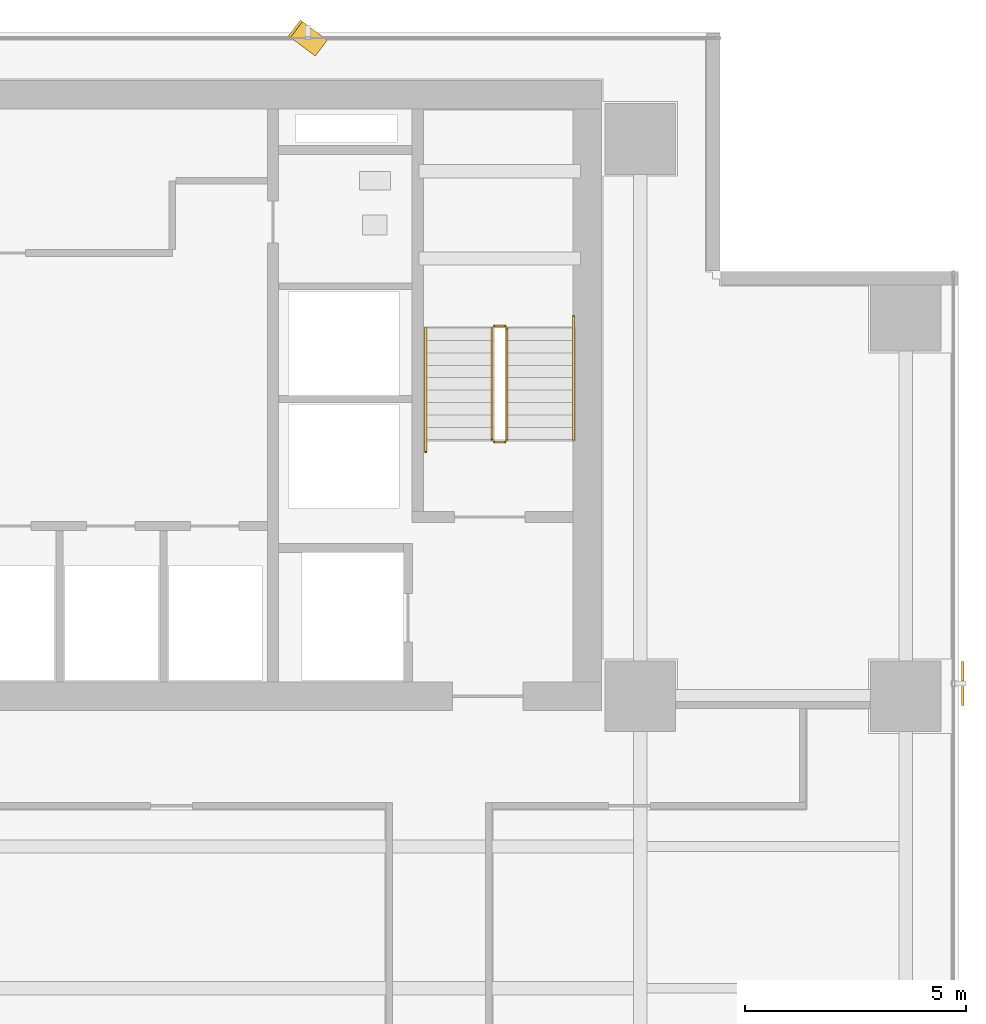
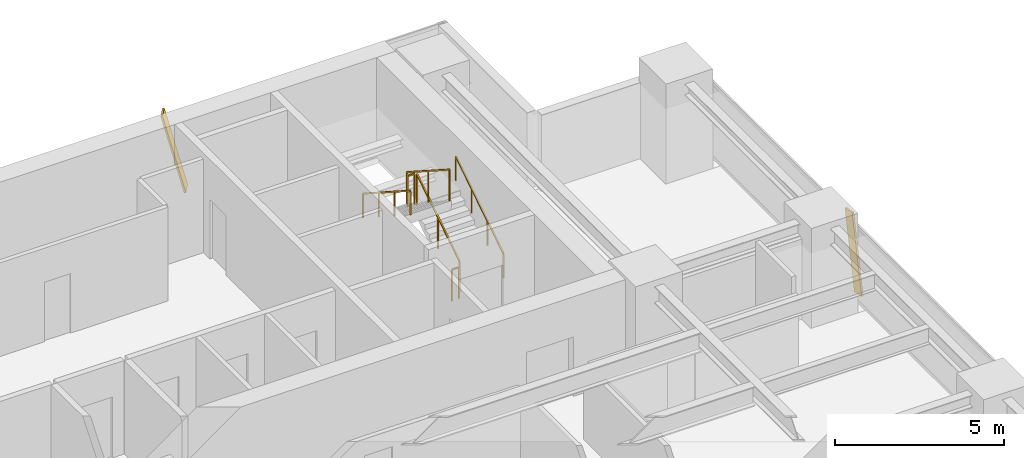
# One storey, part 27 of 28: 6 railings, 2 shading devices.
"""IFC4 building model written with IfcOpenShell, lengths in metres."""

import ifcopenshell
import ifcopenshell.guid

model = None  # the IFC model being written
_history = None  # IfcOwnerHistory: only IFC2X3 demands one
_inside = {}  # id of a spatial element -> (the spatial element, [elements in it])
_under = {}  # id of a project, library or spatial element -> (it, [spatial elements below it])
_declared = {}  # id of a project -> (the project, [libraries it declares])
_typed = {}  # id of a type object -> (the type object, [elements of that type])
_made_of = {}  # id of a material, layer set ... -> (it, [elements and type objects made of it])


def new_model(schema):
    """Start an empty IFC model of exactly this schema.

    Asked for "IFC4X3", IfcOpenShell would pick the latest addendum, in which some entities
    have other attributes; the version numbers below select the first issue.
    IFC2X3 requires an IfcOwnerHistory on every rooted entity: one is made here for all.
    """
    global model, _history
    if schema == "IFC4X3":
        model = ifcopenshell.file(schema_version=(4, 3, 0, 0))
    else:
        model = ifcopenshell.file(schema=schema)
    _inside.clear()
    _under.clear()
    _declared.clear()
    _typed.clear()
    _made_of.clear()
    _history = None
    if model.schema == "IFC2X3":
        org = make("IfcOrganization", Name="unknown")
        user = make(
            "IfcPersonAndOrganization",
            ThePerson=make("IfcPerson", FamilyName="unknown"),
            TheOrganization=org,
        )
        app = make(
            "IfcApplication",
            ApplicationDeveloper=org,
            Version="unknown",
            ApplicationFullName="unknown",
            ApplicationIdentifier="unknown",
        )
        _history = make(
            "IfcOwnerHistory",
            OwningUser=user,
            OwningApplication=app,
            ChangeAction="ADDED",
            CreationDate=0,
        )
    return model


def make(cls, **values):
    """One entity of the class cls with the attributes given. An attribute that is None is left unset."""
    return model.create_entity(
        cls, **{name: value for name, value in values.items() if value is not None}
    )


def rooted(cls, **values):
    """An entity with a GlobalId (a new one), such as an element, a storey or a relation."""
    return make(cls, GlobalId=ifcopenshell.guid.new(), OwnerHistory=_history, **values)


def si_unit(unit_type, name, prefix=None):
    """IfcSIUnit, for example si_unit("LENGTHUNIT", "METRE", prefix="MILLI")."""
    return make("IfcSIUnit", UnitType=unit_type, Prefix=prefix, Name=name)


def assignment(units):
    """IfcUnitAssignment: the units of a project."""
    return None if units is None else make("IfcUnitAssignment", Units=units)


def point(xyz):
    """IfcCartesianPoint."""
    return None if xyz is None else make("IfcCartesianPoint", Coordinates=xyz)


def direction(xyz):
    """IfcDirection."""
    return None if xyz is None else make("IfcDirection", DirectionRatios=xyz)


def frame(location, z_axis=None, x_axis=None):
    """IfcAxis2Placement3D, a coordinate frame: its origin and axes. An axis left out is left unset."""
    return make(
        "IfcAxis2Placement3D",
        Location=point(location),
        Axis=direction(z_axis),
        RefDirection=direction(x_axis),
    )


def frame_2d(location, x_axis=None):
    """IfcAxis2Placement2D, a coordinate frame in the plane: its origin and x axis."""
    return make(
        "IfcAxis2Placement2D", Location=point(location), RefDirection=direction(x_axis)
    )


def origin():
    """The frame at (0, 0, 0) with its axes left unset."""
    return frame((0.0, 0.0, 0.0))


def origin_2d():
    """The frame at (0, 0) in the plane with its x axis left unset."""
    return frame_2d((0.0, 0.0))


def place(relative_to, where):
    """IfcLocalPlacement: puts the frame where relative to a parent placement (None: the world)."""
    return make(
        "IfcLocalPlacement", PlacementRelTo=relative_to, RelativePlacement=where
    )


def context(
    kind, dimensions, precision=None, world=None, true_north=None, identifier=None
):
    """IfcGeometricRepresentationContext, for example the 3D "Model" context."""
    return make(
        "IfcGeometricRepresentationContext",
        ContextIdentifier=identifier,
        ContextType=kind,
        CoordinateSpaceDimension=dimensions,
        Precision=precision,
        WorldCoordinateSystem=world,
        TrueNorth=true_north,
    )


def subcontext(parent, identifier, kind, view, scale=None):
    """IfcGeometricRepresentationSubContext, for example "Body" below "Model"."""
    return make(
        "IfcGeometricRepresentationSubContext",
        ContextIdentifier=identifier,
        ContextType=kind,
        ParentContext=parent,
        TargetScale=scale,
        TargetView=view,
    )


def project(units=None, contexts=None):
    """IfcProject with its units and contexts."""
    return rooted(
        "IfcProject",
        Name="project",
        RepresentationContexts=contexts,
        UnitsInContext=assignment(units),
    )


def spatial(cls, under=None, at=None, **own):
    """A site, building, storey or space (cls), placed at a placement, below another one or the project."""
    s = rooted(cls, ObjectPlacement=at, **own)
    if under is not None:
        _under.setdefault(under.id(), (under, []))[1].append(s)
    return s


def profile(cls, at=None, kind="AREA", **sizes):
    """A parametric profile (cls). Its sizes go by their IFC names, for example OverallWidth=200.0."""
    return make(cls, ProfileType=kind, Position=at, **sizes)


def rectangle(**sizes):
    """IfcRectangleProfileDef."""
    return profile("IfcRectangleProfileDef", **sizes)


def extrude(swept, where, along, depth):
    """IfcExtrudedAreaSolid: the profile swept, set in the frame where, extruded along a direction by depth."""
    return make(
        "IfcExtrudedAreaSolid",
        SweptArea=swept,
        Position=where,
        ExtrudedDirection=direction(along),
        Depth=depth,
    )


def shape(context_of_items, identifier, shape_type, items):
    """IfcShapeRepresentation: the items that make up one representation, for example the "Body"."""
    return make(
        "IfcShapeRepresentation",
        ContextOfItems=context_of_items,
        RepresentationIdentifier=identifier,
        RepresentationType=shape_type,
        Items=items,
    )


def source(mapping_origin, context_of_items, identifier, shape_type, items):
    """IfcRepresentationMap: a shape defined once, which mapped items show again and again."""
    return make(
        "IfcRepresentationMap",
        MappingOrigin=mapping_origin,
        MappedRepresentation=shape(context_of_items, identifier, shape_type, items),
    )


def transform(
    local_origin,
    x_axis=None,
    y_axis=None,
    z_axis=None,
    scale=None,
    scale2=None,
    scale3=None,
    uniform=True,
):
    """IfcCartesianTransformationOperator3D, or its non-uniform kind. x_axis, y_axis, z_axis: its Axis1, 2, 3."""
    if uniform:
        return make(
            "IfcCartesianTransformationOperator3D",
            Axis1=direction(x_axis),
            Axis2=direction(y_axis),
            LocalOrigin=point(local_origin),
            Scale=scale,
            Axis3=direction(z_axis),
        )
    return make(
        "IfcCartesianTransformationOperator3DnonUniform",
        Axis1=direction(x_axis),
        Axis2=direction(y_axis),
        LocalOrigin=point(local_origin),
        Scale=scale,
        Axis3=direction(z_axis),
        Scale2=scale2,
        Scale3=scale3,
    )


def mapped(mapping_source, mapping_target):
    """IfcMappedItem: shows the shape of a source again, moved by a transform."""
    return make(
        "IfcMappedItem", MappingSource=mapping_source, MappingTarget=mapping_target
    )


def material(Name=None, Category=None):
    """IfcMaterial."""
    return make("IfcMaterial", Name=Name, Category=Category)


def material_profile(
    of_material, cross_section, Name=None, Category=None, Priority=None
):
    """IfcMaterialProfile: a cross section and its material."""
    return make(
        "IfcMaterialProfile",
        Name=Name,
        Material=of_material,
        Profile=cross_section,
        Priority=Priority,
        Category=Category,
    )


def profile_set(profiles, Name=None, composite=None):
    """IfcMaterialProfileSet."""
    return make(
        "IfcMaterialProfileSet",
        Name=Name,
        MaterialProfiles=profiles,
        CompositeProfile=composite,
    )


def made_of(thing, what):
    """Note that an element or type object is made of a material, layer set ...; save() writes the relation."""
    if what is not None:
        _made_of.setdefault(what.id(), (what, []))[1].append(thing)
    return thing


def type_object(cls, material=None, **own):
    """A type object (cls), such as IfcWallType, which elements share."""
    return made_of(rooted(cls, **own), material)


def element(
    cls,
    number,
    at=None,
    inside=None,
    cuts=None,
    type_object=None,
    material=None,
    context=None,
    identifier="Body",
    shape_type=None,
    held_by="IfcProductDefinitionShape",
    body=None,
    shapes=None,
    **own,
):
    """One element of the class cls, such as IfcWall. Its Tag is "e" and its number.

    at: its placement. inside: the storey or other place that contains it. cuts: it is an
    opening in that element (IfcRelVoidsElement). A single representation is given by context,
    identifier, shape_type and body (its items); several are given by shapes. held_by: the class
    of the entity that holds the representations. save() writes the other relations.
    """
    e = rooted(cls, Tag="e%d" % number, ObjectPlacement=at, **own)
    if body is not None:
        shapes = [shape(context, identifier, shape_type, body)]
    if shapes is not None:
        e.Representation = make(held_by, Representations=shapes)
    if inside is not None:
        _inside.setdefault(inside.id(), (inside, []))[1].append(e)
    if cuts is not None:
        rooted(
            "IfcRelVoidsElement", RelatingBuildingElement=cuts, RelatedOpeningElement=e
        )
    if type_object is not None:
        _typed.setdefault(type_object.id(), (type_object, []))[1].append(e)
    return made_of(e, material)


def aggregate(whole, parts):
    """IfcRelAggregates: a whole, such as a stair, and the parts it consists of."""
    return rooted("IfcRelAggregates", RelatingObject=whole, RelatedObjects=parts)


def save(model, path):
    """Write the relations noted so far, then the file.

    IfcRelAggregates (storeys below a building ...), IfcRelContainedInSpatialStructure (elements
    in a storey), IfcRelDefinesByType, IfcRelAssociatesMaterial and IfcRelDeclares: one each for
    every whole, place, type object, material and project.
    """
    for whole, parts in _under.values():
        aggregate(whole, parts)
    for where, things in _inside.values():
        rooted(
            "IfcRelContainedInSpatialStructure",
            RelatedElements=things,
            RelatingStructure=where,
        )
    for kind, things in _typed.values():
        rooted("IfcRelDefinesByType", RelatedObjects=things, RelatingType=kind)
    for what, things in _made_of.values():
        rooted("IfcRelAssociatesMaterial", RelatedObjects=things, RelatingMaterial=what)
    for by, libraries in _declared.values():
        rooted("IfcRelDeclares", RelatingContext=by, RelatedDefinitions=libraries)
    model.write(path)


model = new_model("IFC4")

# Units and contexts
model_context = context("Model", 3, precision=1e-05, world=origin(), true_north=direction((0.0, 1.0)))
body_context = subcontext(model_context, "Body", "Model", "MODEL_VIEW")
ifc_project = project(units=[si_unit("LENGTHUNIT", "METRE"), si_unit("AREAUNIT", "SQUARE_METRE"), si_unit("VOLUMEUNIT", "CUBIC_METRE"), si_unit("PLANEANGLEUNIT", "RADIAN"), si_unit("MASSUNIT", "GRAM", prefix="KILO")], contexts=[model_context])

# Site, building, storey
site_placement = place(None, origin())
site = spatial("IfcSite", under=ifc_project, at=site_placement, CompositionType="ELEMENT")
building_placement = place(site_placement, origin())
building = spatial("IfcBuilding", under=site, at=building_placement, Name="Sumidabori Civic Tower", CompositionType="ELEMENT")
storey_placement = place(building_placement, frame((0.0, 0.0, 153.199951171875)))
storey = spatial("IfcBuildingStorey", under=building, at=storey_placement, Name="L39", CompositionType="ELEMENT", Elevation=153.199951171875)

# Railings
ifc_material_1 = material(Name="Stainless Steel Hairline Finish", Category="steel")
railing_type_1 = type_object("IfcRailingType", Name="RL-HANDRAIL", PredefinedType="HANDRAIL", material=ifc_material_1)
railing_1_placement = place(storey_placement, frame((15.2900390625, 16.0, 0.179931640625)))
element("IfcRailing", 1, at=railing_1_placement, inside=storey, type_object=railing_type_1, Name="L39 ST-2 stair handrail 1", PredefinedType="HANDRAIL", context=body_context, shape_type="SweptSolid", body=[
    extrude(rectangle(XDim=0.048095703125, YDim=0.048095703125, at=origin_2d()), frame((0.0, 0.0, 0.8759765625), z_axis=(0.0, 0.84064222762, 0.54159084662), x_axis=(-1.0, 0.0, 0.0)), (0.0, 0.0, 1.0), 3.330810546875),
    extrude(rectangle(XDim=0.0419921875, YDim=0.0419921875, at=origin_2d()), origin(), (0.0, 0.0, 1.0), 0.851806640625),
    extrude(rectangle(XDim=0.0419921875, YDim=0.0419921875, at=origin_2d()), frame((0.0, 0.933349609375, 0.601318359375)), (0.0, 0.0, 1.0), 0.851806640625),
    extrude(rectangle(XDim=0.0419921875, YDim=0.0419921875, at=origin_2d()), frame((0.0, 1.86669921875, 1.20263671875)), (0.0, 0.0, 1.0), 0.851806640625),
    extrude(rectangle(XDim=0.0419921875, YDim=0.0419921875, at=origin_2d()), frame((0.0, 2.800048828125, 1.803955078125)), (0.0, 0.0, 1.0), 0.851806640625),
])
railing_2_placement = place(storey_placement, frame((11.949951171875, 18.52001953125, 1.97998046875)))
element("IfcRailing", 2, at=railing_2_placement, inside=storey, type_object=railing_type_1, Name="L39 ST-2 stair handrail 2", PredefinedType="HANDRAIL", context=body_context, shape_type="SweptSolid", body=[
    extrude(rectangle(XDim=0.048095703125, YDim=0.048095703125, at=origin_2d()), frame((0.0, 0.0, 0.8759765625), z_axis=(0.0, -0.84064222762, 0.54159084662), x_axis=(1.0, 0.0, 0.0)), (0.0, 0.0, 1.0), 3.330810546875),
    extrude(rectangle(XDim=0.0419921875, YDim=0.0419921875, at=origin_2d()), origin(), (0.0, 0.0, 1.0), 0.851806640625),
    extrude(rectangle(XDim=0.0419921875, YDim=0.0419921875, at=origin_2d()), frame((0.0, -0.933349609375, 0.601318359375)), (0.0, 0.0, 1.0), 0.851806640625),
    extrude(rectangle(XDim=0.0419921875, YDim=0.0419921875, at=origin_2d()), frame((0.0, -1.86669921875, 1.20263671875)), (0.0, 0.0, 1.0), 0.851806640625),
    extrude(rectangle(XDim=0.0419921875, YDim=0.0419921875, at=origin_2d()), frame((0.0, -2.800048828125, 1.803955078125)), (0.0, 0.0, 1.0), 0.851806640625),
])
ifc_material_2 = material(Name="Steel SN490", Category="steel")
railing_type_2 = type_object("IfcRailingType", Name="RL-STAIR-GUARD", PredefinedType="GUARDRAIL", material=ifc_material_2)
railing_3_placement = place(storey_placement, frame((13.7900390625, 16.0, 0.179931640625)))
element("IfcRailing", 3, at=railing_3_placement, inside=storey, type_object=railing_type_2, Name="L39 ST-2 stair guard 1", PredefinedType="GUARDRAIL", context=body_context, shape_type="SweptSolid", body=[
    extrude(rectangle(XDim=0.048095703125, YDim=0.048095703125, at=origin_2d()), frame((0.0, 0.0, 1.1259765625), z_axis=(0.0, 0.841162588446, 0.540782303519), x_axis=(-1.0, 0.0, 0.0)), (0.0, 0.0, 1.0), 2.995849609375),
    extrude(rectangle(XDim=0.0419921875, YDim=0.0419921875, at=origin_2d()), origin(), (0.0, 0.0, 1.0), 1.101806640625),
    extrude(rectangle(XDim=0.0419921875, YDim=0.0419921875, at=origin_2d()), frame((0.0, 1.260009765625, 0.81005859375)), (0.0, 0.0, 1.0), 1.101806640625),
    extrude(rectangle(XDim=0.0419921875, YDim=0.0419921875, at=origin_2d()), frame((0.0, 2.52001953125, 1.6201171875)), (0.0, 0.0, 1.0), 1.101806640625),
])
railing_4_placement = place(storey_placement, frame((13.739990234375, 18.570068359375, 1.800048828125)))
element("IfcRailing", 4, at=railing_4_placement, inside=storey, type_object=railing_type_2, Name="L39 ST-2 stair guard 2", PredefinedType="GUARDRAIL", context=body_context, shape_type="SweptSolid", body=[
    extrude(rectangle(XDim=0.048095703125, YDim=0.048095703125, at=origin_2d()), frame((0.0, 0.0, 1.1259765625), z_axis=(-1.0, 0.0, 0.0), x_axis=(0.0, -1.0, 0.0)), (0.0, 0.0, 1.0), 0.239990234375),
    extrude(rectangle(XDim=0.0419921875, YDim=0.0419921875, at=origin_2d()), origin(), (0.0, 0.0, 1.0), 1.101806640625),
    extrude(rectangle(XDim=0.0419921875, YDim=0.0419921875, at=origin_2d()), frame((-0.239990234375, 0.0, 0.0)), (0.0, 0.0, 1.0), 1.101806640625),
])
railing_5_placement = place(storey_placement, frame((13.449951171875, 18.52001953125, 1.97998046875)))
element("IfcRailing", 5, at=railing_5_placement, inside=storey, type_object=railing_type_2, Name="L39 ST-2 stair guard 3", PredefinedType="GUARDRAIL", context=body_context, shape_type="SweptSolid", body=[
    extrude(rectangle(XDim=0.048095703125, YDim=0.048095703125, at=origin_2d()), frame((0.0, 0.0, 1.1259765625), z_axis=(0.0, -0.841162588446, 0.540782303519), x_axis=(1.0, 0.0, 0.0)), (0.0, 0.0, 1.0), 2.995849609375),
    extrude(rectangle(XDim=0.0419921875, YDim=0.0419921875, at=origin_2d()), origin(), (0.0, 0.0, 1.0), 1.101806640625),
    extrude(rectangle(XDim=0.0419921875, YDim=0.0419921875, at=origin_2d()), frame((0.0, -1.260009765625, 0.81005859375)), (0.0, 0.0, 1.0), 1.101806640625),
    extrude(rectangle(XDim=0.0419921875, YDim=0.0419921875, at=origin_2d()), frame((0.0, -2.52001953125, 1.6201171875)), (0.0, 0.0, 1.0), 1.101806640625),
])
railing_6_placement = place(storey_placement, frame((13.739990234375, 15.949951171875, 0.0)))
element("IfcRailing", 6, at=railing_6_placement, inside=storey, type_object=railing_type_2, Name="L39 ST-2 stair guard 4", PredefinedType="GUARDRAIL", context=body_context, shape_type="SweptSolid", body=[
    extrude(rectangle(XDim=0.048095703125, YDim=0.048095703125, at=origin_2d()), frame((0.0, 0.0, 1.1259765625), z_axis=(-1.0, 0.0, 0.0), x_axis=(0.0, -1.0, 0.0)), (0.0, 0.0, 1.0), 0.239990234375),
    extrude(rectangle(XDim=0.0419921875, YDim=0.0419921875, at=origin_2d()), origin(), (0.0, 0.0, 1.0), 1.101806640625),
    extrude(rectangle(XDim=0.0419921875, YDim=0.0419921875, at=origin_2d()), frame((-0.239990234375, 0.0, 0.0)), (0.0, 0.0, 1.0), 1.101806640625),
])

# Shading devices
ifc_material_3 = material(Name="Anodised Bronze Aluminium AW-6063-T6", Category="aluminium")
ifc_material_profile = material_profile(ifc_material_3, rectangle(XDim=0.06005859375, YDim=0.449951171875, at=origin_2d()), Name="BRONZE FIN 450x60")
ifc_profile_set = profile_set([ifc_material_profile], Name="Anodised Bronze Aluminium AW-6063-T6")
shading_device_type = type_object("IfcShadingDeviceType", Name="SH-FIN-450", PredefinedType="USERDEFINED", material=ifc_profile_set)
shared_shape_1 = source(origin(), body_context, "Body", "SweptSolid", [
    extrude(rectangle(XDim=0.06005859375, YDim=0.449951171875, at=origin_2d()), origin(), (0.0, 0.0, 1.0), 2.789306640625),
])
shading_device_1_placement = place(storey_placement, frame((9.56494140625, 24.8701171875, 0.02001953125), z_axis=(-0.200794136335, 0.150551837182, 0.967995794998), x_axis=(0.774477654896, -0.580689436103, 0.250966413819)))
element("IfcShadingDevice", 7, at=shading_device_1_placement, inside=storey, type_object=shading_device_type, Name="Bronze Anodised Diagonal Fin L39-01", ObjectType="FIN", PredefinedType="USERDEFINED", context=body_context, shape_type="MappedRepresentation", body=[
    mapped(shared_shape_1, transform((0.0, 0.0, 0.0), x_axis=(1.0, 0.0, 0.0), y_axis=(0.0, 1.0, 0.0), z_axis=(0.0, 0.0, 1.0), scale=1.0)),
])
shared_shape_2 = source(origin(), body_context, "Body", "SweptSolid", [
    extrude(rectangle(XDim=0.06005859375, YDim=0.449951171875, at=origin_2d()), origin(), (0.0, 0.0, 1.0), 2.75732421875),
])
shading_device_2_placement = place(storey_placement, frame((24.090087890625, 10.205078125, 0.02001953125), z_axis=(0.0, 0.20302426177, 0.979173707333), x_axis=(-1.0, 0.0, 0.0)))
element("IfcShadingDevice", 8, at=shading_device_2_placement, inside=storey, type_object=shading_device_type, Name="Bronze Anodised Diagonal Fin L39-03", ObjectType="FIN", PredefinedType="USERDEFINED", context=body_context, shape_type="MappedRepresentation", body=[
    mapped(shared_shape_2, transform((0.0, 0.0, 0.0), x_axis=(1.0, 0.0, 0.0), y_axis=(0.0, 1.0, 0.0), z_axis=(0.0, 0.0, 1.0), scale=1.0)),
])

save(model, "model.ifc")
